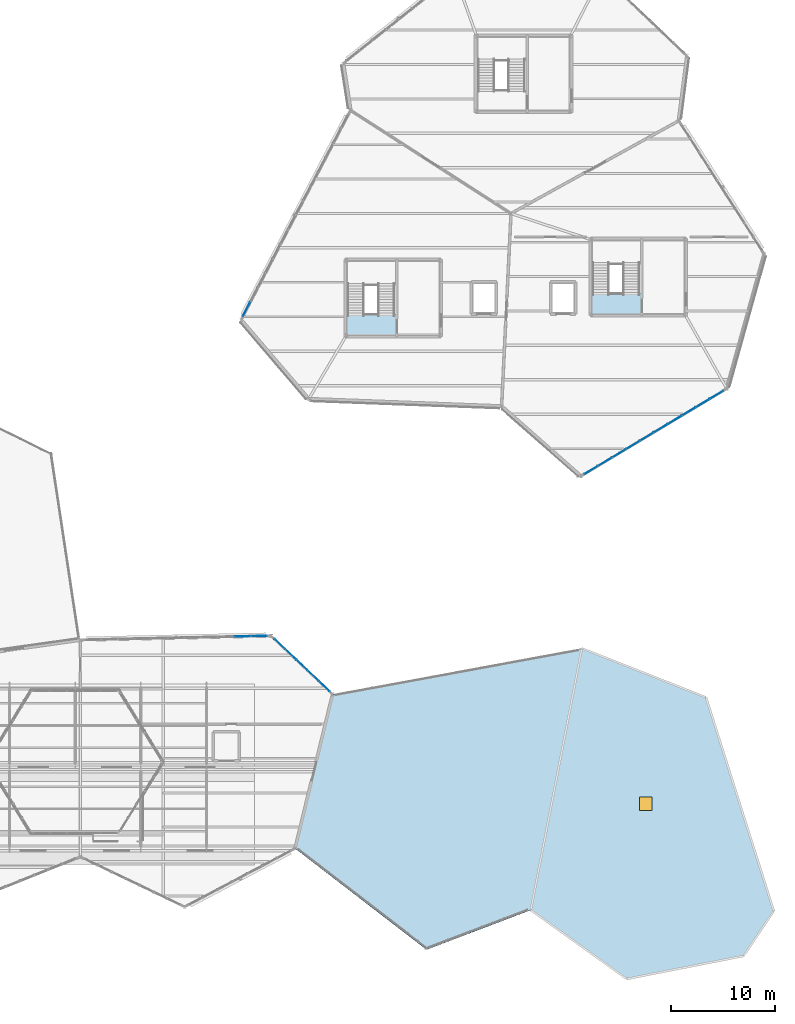
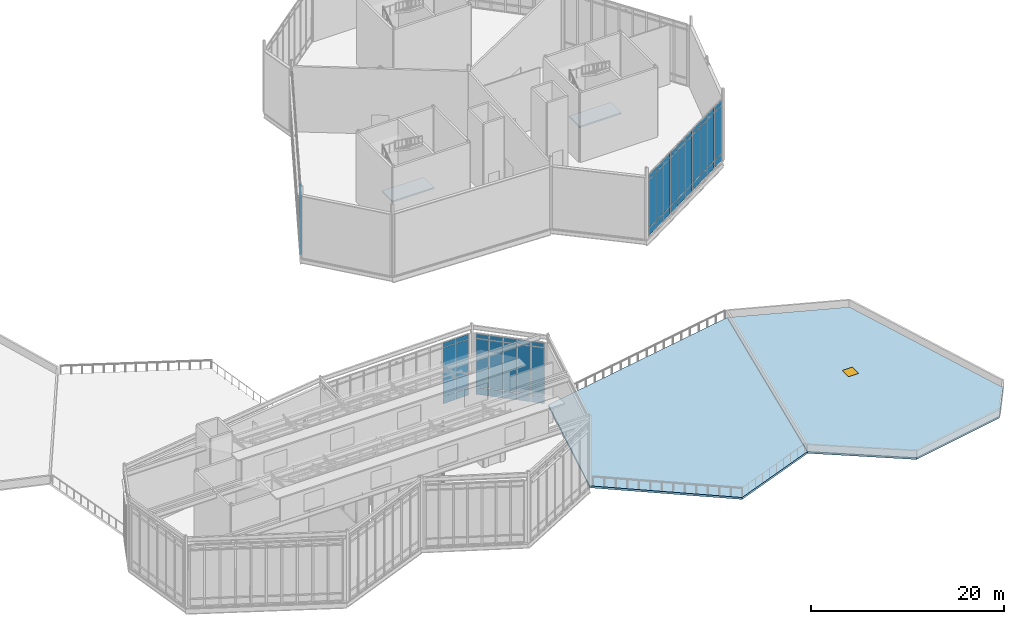
# One storey, part 46 of 66: 54 plates, 4 slabs, 1 door, 1 opening, 6 elements without a shape of their own.
"""IFC4 building model written with IfcOpenShell, lengths in metres."""

import ifcopenshell
import ifcopenshell.guid

model = None  # the IFC model being written
_history = None  # IfcOwnerHistory: only IFC2X3 demands one
_inside = {}  # id of a spatial element -> (the spatial element, [elements in it])
_under = {}  # id of a project, library or spatial element -> (it, [spatial elements below it])
_declared = {}  # id of a project -> (the project, [libraries it declares])
_typed = {}  # id of a type object -> (the type object, [elements of that type])
_made_of = {}  # id of a material, layer set ... -> (it, [elements and type objects made of it])


def new_model(schema):
    """Start an empty IFC model of exactly this schema.

    Asked for "IFC4X3", IfcOpenShell would pick the latest addendum, in which some entities
    have other attributes; the version numbers below select the first issue.
    IFC2X3 requires an IfcOwnerHistory on every rooted entity: one is made here for all.
    """
    global model, _history
    if schema == "IFC4X3":
        model = ifcopenshell.file(schema_version=(4, 3, 0, 0))
    else:
        model = ifcopenshell.file(schema=schema)
    _inside.clear()
    _under.clear()
    _declared.clear()
    _typed.clear()
    _made_of.clear()
    _history = None
    if model.schema == "IFC2X3":
        org = make("IfcOrganization", Name="unknown")
        user = make(
            "IfcPersonAndOrganization",
            ThePerson=make("IfcPerson", FamilyName="unknown"),
            TheOrganization=org,
        )
        app = make(
            "IfcApplication",
            ApplicationDeveloper=org,
            Version="unknown",
            ApplicationFullName="unknown",
            ApplicationIdentifier="unknown",
        )
        _history = make(
            "IfcOwnerHistory",
            OwningUser=user,
            OwningApplication=app,
            ChangeAction="ADDED",
            CreationDate=0,
        )
    return model


def make(cls, **values):
    """One entity of the class cls with the attributes given. An attribute that is None is left unset."""
    return model.create_entity(
        cls, **{name: value for name, value in values.items() if value is not None}
    )


def rooted(cls, **values):
    """An entity with a GlobalId (a new one), such as an element, a storey or a relation."""
    return make(cls, GlobalId=ifcopenshell.guid.new(), OwnerHistory=_history, **values)


def si_unit(unit_type, name, prefix=None):
    """IfcSIUnit, for example si_unit("LENGTHUNIT", "METRE", prefix="MILLI")."""
    return make("IfcSIUnit", UnitType=unit_type, Prefix=prefix, Name=name)


def assignment(units):
    """IfcUnitAssignment: the units of a project."""
    return None if units is None else make("IfcUnitAssignment", Units=units)


def point(xyz):
    """IfcCartesianPoint."""
    return None if xyz is None else make("IfcCartesianPoint", Coordinates=xyz)


def direction(xyz):
    """IfcDirection."""
    return None if xyz is None else make("IfcDirection", DirectionRatios=xyz)


def frame(location, z_axis=None, x_axis=None):
    """IfcAxis2Placement3D, a coordinate frame: its origin and axes. An axis left out is left unset."""
    return make(
        "IfcAxis2Placement3D",
        Location=point(location),
        Axis=direction(z_axis),
        RefDirection=direction(x_axis),
    )


def frame_2d(location, x_axis=None):
    """IfcAxis2Placement2D, a coordinate frame in the plane: its origin and x axis."""
    return make(
        "IfcAxis2Placement2D", Location=point(location), RefDirection=direction(x_axis)
    )


def origin():
    """The frame at (0, 0, 0) with its axes left unset."""
    return frame((0.0, 0.0, 0.0))


def origin_2d():
    """The frame at (0, 0) in the plane with its x axis left unset."""
    return frame_2d((0.0, 0.0))


def place(relative_to, where):
    """IfcLocalPlacement: puts the frame where relative to a parent placement (None: the world)."""
    return make(
        "IfcLocalPlacement", PlacementRelTo=relative_to, RelativePlacement=where
    )


def context(
    kind, dimensions, precision=None, world=None, true_north=None, identifier=None
):
    """IfcGeometricRepresentationContext, for example the 3D "Model" context."""
    return make(
        "IfcGeometricRepresentationContext",
        ContextIdentifier=identifier,
        ContextType=kind,
        CoordinateSpaceDimension=dimensions,
        Precision=precision,
        WorldCoordinateSystem=world,
        TrueNorth=true_north,
    )


def subcontext(parent, identifier, kind, view, scale=None):
    """IfcGeometricRepresentationSubContext, for example "Body" below "Model"."""
    return make(
        "IfcGeometricRepresentationSubContext",
        ContextIdentifier=identifier,
        ContextType=kind,
        ParentContext=parent,
        TargetScale=scale,
        TargetView=view,
    )


def project(units=None, contexts=None):
    """IfcProject with its units and contexts."""
    return rooted(
        "IfcProject",
        Name="project",
        RepresentationContexts=contexts,
        UnitsInContext=assignment(units),
    )


def spatial(cls, under=None, at=None, **own):
    """A site, building, storey or space (cls), placed at a placement, below another one or the project."""
    s = rooted(cls, ObjectPlacement=at, **own)
    if under is not None:
        _under.setdefault(under.id(), (under, []))[1].append(s)
    return s


def polyline(points):
    """IfcPolyline through the points."""
    return make("IfcPolyline", Points=[point(p) for p in points])


def profile(cls, at=None, kind="AREA", **sizes):
    """A parametric profile (cls). Its sizes go by their IFC names, for example OverallWidth=200.0."""
    return make(cls, ProfileType=kind, Position=at, **sizes)


def rectangle(**sizes):
    """IfcRectangleProfileDef."""
    return profile("IfcRectangleProfileDef", **sizes)


def outline(outer, holes=None, kind="AREA"):
    """IfcArbitraryClosedProfileDef: a profile drawn as a closed curve; with holes, ...WithVoids."""
    if holes is None:
        return make("IfcArbitraryClosedProfileDef", ProfileType=kind, OuterCurve=outer)
    return make(
        "IfcArbitraryProfileDefWithVoids",
        ProfileType=kind,
        OuterCurve=outer,
        InnerCurves=holes,
    )


def extrude(swept, where, along, depth):
    """IfcExtrudedAreaSolid: the profile swept, set in the frame where, extruded along a direction by depth."""
    return make(
        "IfcExtrudedAreaSolid",
        SweptArea=swept,
        Position=where,
        ExtrudedDirection=direction(along),
        Depth=depth,
    )


def shape(context_of_items, identifier, shape_type, items):
    """IfcShapeRepresentation: the items that make up one representation, for example the "Body"."""
    return make(
        "IfcShapeRepresentation",
        ContextOfItems=context_of_items,
        RepresentationIdentifier=identifier,
        RepresentationType=shape_type,
        Items=items,
    )


def material(Name=None, Category=None):
    """IfcMaterial."""
    return make("IfcMaterial", Name=Name, Category=Category)


def layer(
    of_material, thickness, ventilated=None, Name=None, Category=None, Priority=None
):
    """IfcMaterialLayer: one layer of a wall or slab, of a material (None: an air gap)."""
    return make(
        "IfcMaterialLayer",
        Material=of_material,
        LayerThickness=thickness,
        IsVentilated=ventilated,
        Name=Name,
        Category=Category,
        Priority=Priority,
    )


def layer_set(layers, Name=None):
    """IfcMaterialLayerSet."""
    return make("IfcMaterialLayerSet", MaterialLayers=layers, LayerSetName=Name)


def made_of(thing, what):
    """Note that an element or type object is made of a material, layer set ...; save() writes the relation."""
    if what is not None:
        _made_of.setdefault(what.id(), (what, []))[1].append(thing)
    return thing


def type_object(cls, material=None, **own):
    """A type object (cls), such as IfcWallType, which elements share."""
    return made_of(rooted(cls, **own), material)


def element(
    cls,
    number,
    at=None,
    inside=None,
    cuts=None,
    type_object=None,
    material=None,
    context=None,
    identifier="Body",
    shape_type=None,
    held_by="IfcProductDefinitionShape",
    body=None,
    shapes=None,
    **own,
):
    """One element of the class cls, such as IfcWall. Its Tag is "e" and its number.

    at: its placement. inside: the storey or other place that contains it. cuts: it is an
    opening in that element (IfcRelVoidsElement). A single representation is given by context,
    identifier, shape_type and body (its items); several are given by shapes. held_by: the class
    of the entity that holds the representations. save() writes the other relations.
    """
    e = rooted(cls, Tag="e%d" % number, ObjectPlacement=at, **own)
    if body is not None:
        shapes = [shape(context, identifier, shape_type, body)]
    if shapes is not None:
        e.Representation = make(held_by, Representations=shapes)
    if inside is not None:
        _inside.setdefault(inside.id(), (inside, []))[1].append(e)
    if cuts is not None:
        rooted(
            "IfcRelVoidsElement", RelatingBuildingElement=cuts, RelatedOpeningElement=e
        )
    if type_object is not None:
        _typed.setdefault(type_object.id(), (type_object, []))[1].append(e)
    return made_of(e, material)


def fill(opening, filler):
    """IfcRelFillsElement: the door or window that sits in an opening."""
    return rooted(
        "IfcRelFillsElement",
        RelatingOpeningElement=opening,
        RelatedBuildingElement=filler,
    )


def aggregate(whole, parts):
    """IfcRelAggregates: a whole, such as a stair, and the parts it consists of."""
    return rooted("IfcRelAggregates", RelatingObject=whole, RelatedObjects=parts)


def save(model, path):
    """Write the relations noted so far, then the file.

    IfcRelAggregates (storeys below a building ...), IfcRelContainedInSpatialStructure (elements
    in a storey), IfcRelDefinesByType, IfcRelAssociatesMaterial and IfcRelDeclares: one each for
    every whole, place, type object, material and project.
    """
    for whole, parts in _under.values():
        aggregate(whole, parts)
    for where, things in _inside.values():
        rooted(
            "IfcRelContainedInSpatialStructure",
            RelatedElements=things,
            RelatingStructure=where,
        )
    for kind, things in _typed.values():
        rooted("IfcRelDefinesByType", RelatedObjects=things, RelatingType=kind)
    for what, things in _made_of.values():
        rooted("IfcRelAssociatesMaterial", RelatedObjects=things, RelatingMaterial=what)
    for by, libraries in _declared.values():
        rooted("IfcRelDeclares", RelatingContext=by, RelatedDefinitions=libraries)
    model.write(path)


model = new_model("IFC4")

# Units and contexts
model_context = context("Model", 3, precision=1e-05, world=origin(), true_north=direction((0.0, 1.0)))
body_context = subcontext(model_context, "Body", "Model", "MODEL_VIEW")
ifc_project = project(units=[si_unit("LENGTHUNIT", "METRE"), si_unit("AREAUNIT", "SQUARE_METRE"), si_unit("VOLUMEUNIT", "CUBIC_METRE"), si_unit("PLANEANGLEUNIT", "RADIAN"), si_unit("MASSUNIT", "GRAM", prefix="KILO")], contexts=[model_context])

# Site, building, storey
site_placement = place(None, origin())
site = spatial("IfcSite", under=ifc_project, at=site_placement, CompositionType="ELEMENT")
building_placement = place(site_placement, origin())
building = spatial("IfcBuilding", under=site, at=building_placement, Name="Tameran Prism Museum", CompositionType="ELEMENT")
storey_placement = place(building_placement, frame((0.0, 0.0, 19.800048828125)))
storey = spatial("IfcBuildingStorey", under=building, at=storey_placement, Name="L04", CompositionType="ELEMENT", Elevation=19.800048828125)

# Curtain wall, plates
ifc_material_1 = material(Name="Anodised Aluminium 6063-T6 and Cyclone Solar Glass", Category="aluminium")
curtain_wall_type_1 = type_object("IfcCurtainWallType", Name="CW-FAC-1563x782", PredefinedType="USERDEFINED", material=ifc_material_1)
curtain_wall_1_placement = place(storey_placement, origin())
curtain_wall_1 = element("IfcCurtainWall", 1, at=curtain_wall_1_placement, inside=storey, type_object=curtain_wall_type_1, Name="Unitised Curtain Wall CW-152", ObjectType="UNITISED CURTAIN WALL", PredefinedType="USERDEFINED")
ifc_material_2 = material(Name="Low-E Laminated Solar Glass", Category="glass")
ifc_layer_1 = layer(ifc_material_2, 0.028076171875)
ifc_layer_set_1 = layer_set([ifc_layer_1])
plate_type_1 = type_object("IfcPlateType", Name="CW-PNL-G28", PredefinedType="CURTAIN_PANEL", material=ifc_layer_set_1)
plate_1_placement = place(storey_placement, frame((138.514892578125, 71.708984375, 0.06982421875), z_axis=(0.0, 0.0, 1.0), x_axis=(-0.857492925713, -0.514495755426, 0.0)))
plate_1 = element("IfcPlate", 2, at=plate_1_placement, type_object=plate_type_1, Name="CW-152 panel 1.1", PredefinedType="CURTAIN_PANEL", context=body_context, shape_type="SweptSolid", body=[
    extrude(rectangle(XDim=1.457763671875, YDim=0.028076171875, at=origin_2d()), origin(), (0.0, 0.0, 1.0), 0.89501953125),
])
plate_2_placement = place(storey_placement, frame((138.514892578125, 71.708984375, 1.03515625), z_axis=(0.0, 0.0, 1.0), x_axis=(-0.857492925713, -0.514495755426, 0.0)))
plate_2 = element("IfcPlate", 3, at=plate_2_placement, type_object=plate_type_1, Name="CW-152 panel 1.2", PredefinedType="CURTAIN_PANEL", context=body_context, shape_type="SweptSolid", body=[
    extrude(rectangle(XDim=1.457763671875, YDim=0.028076171875, at=origin_2d()), origin(), (0.0, 0.0, 1.0), 6.070068359375),
])
plate_3_placement = place(storey_placement, frame((138.514892578125, 71.708984375, 7.1748046875), z_axis=(0.0, 0.0, 1.0), x_axis=(-0.857492925713, -0.514495755426, 0.0)))
plate_3 = element("IfcPlate", 4, at=plate_3_placement, type_object=plate_type_1, Name="CW-152 panel 1.3", PredefinedType="CURTAIN_PANEL", context=body_context, shape_type="SweptSolid", body=[
    extrude(rectangle(XDim=1.457763671875, YDim=0.028076171875, at=origin_2d()), origin(), (0.0, 0.0, 1.0), 0.574951171875),
])
plate_4_placement = place(storey_placement, frame((137.18994140625, 70.9140625, 0.06982421875), z_axis=(0.0, 0.0, 1.0), x_axis=(-0.857492925713, -0.514495755426, 0.0)))
plate_4 = element("IfcPlate", 5, at=plate_4_placement, type_object=plate_type_1, Name="CW-152 panel 2.1", PredefinedType="CURTAIN_PANEL", context=body_context, shape_type="SweptSolid", body=[
    extrude(rectangle(XDim=1.49267578125, YDim=0.028076171875, at=origin_2d()), origin(), (0.0, 0.0, 1.0), 0.89501953125),
])
plate_5_placement = place(storey_placement, frame((137.18994140625, 70.9140625, 1.03515625), z_axis=(0.0, 0.0, 1.0), x_axis=(-0.857492925713, -0.514495755426, 0.0)))
plate_5 = element("IfcPlate", 6, at=plate_5_placement, type_object=plate_type_1, Name="CW-152 panel 2.2", PredefinedType="CURTAIN_PANEL", context=body_context, shape_type="SweptSolid", body=[
    extrude(rectangle(XDim=1.49267578125, YDim=0.028076171875, at=origin_2d()), origin(), (0.0, 0.0, 1.0), 6.070068359375),
])
plate_6_placement = place(storey_placement, frame((137.18994140625, 70.9140625, 7.1748046875), z_axis=(0.0, 0.0, 1.0), x_axis=(-0.857492925713, -0.514495755426, 0.0)))
plate_6 = element("IfcPlate", 7, at=plate_6_placement, type_object=plate_type_1, Name="CW-152 panel 2.3", PredefinedType="CURTAIN_PANEL", context=body_context, shape_type="SweptSolid", body=[
    extrude(rectangle(XDim=1.49267578125, YDim=0.028076171875, at=origin_2d()), origin(), (0.0, 0.0, 1.0), 0.574951171875),
])
plate_7_placement = place(storey_placement, frame((135.85009765625, 70.110107421875, 0.06982421875), z_axis=(0.0, 0.0, 1.0), x_axis=(-0.857492925713, -0.514495755426, 0.0)))
plate_7 = element("IfcPlate", 8, at=plate_7_placement, type_object=plate_type_1, Name="CW-152 panel 3.1", PredefinedType="CURTAIN_PANEL", context=body_context, shape_type="SweptSolid", body=[
    extrude(rectangle(XDim=1.49267578125, YDim=0.028076171875, at=origin_2d()), origin(), (0.0, 0.0, 1.0), 0.89501953125),
])
plate_8_placement = place(storey_placement, frame((135.85009765625, 70.110107421875, 1.03515625), z_axis=(0.0, 0.0, 1.0), x_axis=(-0.857492925713, -0.514495755426, 0.0)))
plate_8 = element("IfcPlate", 9, at=plate_8_placement, type_object=plate_type_1, Name="CW-152 panel 3.2", PredefinedType="CURTAIN_PANEL", context=body_context, shape_type="SweptSolid", body=[
    extrude(rectangle(XDim=1.49267578125, YDim=0.028076171875, at=origin_2d()), origin(), (0.0, 0.0, 1.0), 6.070068359375),
])
plate_9_placement = place(storey_placement, frame((135.85009765625, 70.110107421875, 7.1748046875), z_axis=(0.0, 0.0, 1.0), x_axis=(-0.857492925713, -0.514495755426, 0.0)))
plate_9 = element("IfcPlate", 10, at=plate_9_placement, type_object=plate_type_1, Name="CW-152 panel 3.3", PredefinedType="CURTAIN_PANEL", context=body_context, shape_type="SweptSolid", body=[
    extrude(rectangle(XDim=1.49267578125, YDim=0.028076171875, at=origin_2d()), origin(), (0.0, 0.0, 1.0), 0.574951171875),
])
plate_10_placement = place(storey_placement, frame((134.510009765625, 69.305908203125, 0.06982421875), z_axis=(0.0, 0.0, 1.0), x_axis=(-0.857492925713, -0.514495755426, 0.0)))
plate_10 = element("IfcPlate", 11, at=plate_10_placement, type_object=plate_type_1, Name="CW-152 panel 4.1", PredefinedType="CURTAIN_PANEL", context=body_context, shape_type="SweptSolid", body=[
    extrude(rectangle(XDim=1.49267578125, YDim=0.028076171875, at=origin_2d()), origin(), (0.0, 0.0, 1.0), 0.89501953125),
])
plate_11_placement = place(storey_placement, frame((134.510009765625, 69.305908203125, 1.03515625), z_axis=(0.0, 0.0, 1.0), x_axis=(-0.857492925713, -0.514495755426, 0.0)))
plate_11 = element("IfcPlate", 12, at=plate_11_placement, type_object=plate_type_1, Name="CW-152 panel 4.2", PredefinedType="CURTAIN_PANEL", context=body_context, shape_type="SweptSolid", body=[
    extrude(rectangle(XDim=1.49267578125, YDim=0.028076171875, at=origin_2d()), origin(), (0.0, 0.0, 1.0), 6.070068359375),
])
plate_12_placement = place(storey_placement, frame((134.510009765625, 69.305908203125, 7.1748046875), z_axis=(0.0, 0.0, 1.0), x_axis=(-0.857492925713, -0.514495755426, 0.0)))
plate_12 = element("IfcPlate", 13, at=plate_12_placement, type_object=plate_type_1, Name="CW-152 panel 4.3", PredefinedType="CURTAIN_PANEL", context=body_context, shape_type="SweptSolid", body=[
    extrude(rectangle(XDim=1.49267578125, YDim=0.028076171875, at=origin_2d()), origin(), (0.0, 0.0, 1.0), 0.574951171875),
])
plate_13_placement = place(storey_placement, frame((133.169921875, 68.501953125, 0.06982421875), z_axis=(0.0, 0.0, 1.0), x_axis=(-0.857492925713, -0.514495755426, 0.0)))
plate_13 = element("IfcPlate", 14, at=plate_13_placement, type_object=plate_type_1, Name="CW-152 panel 5.1", PredefinedType="CURTAIN_PANEL", context=body_context, shape_type="SweptSolid", body=[
    extrude(rectangle(XDim=1.49267578125, YDim=0.028076171875, at=origin_2d()), origin(), (0.0, 0.0, 1.0), 0.89501953125),
])
plate_14_placement = place(storey_placement, frame((133.169921875, 68.501953125, 1.03515625), z_axis=(0.0, 0.0, 1.0), x_axis=(-0.857492925713, -0.514495755426, 0.0)))
plate_14 = element("IfcPlate", 15, at=plate_14_placement, type_object=plate_type_1, Name="CW-152 panel 5.2", PredefinedType="CURTAIN_PANEL", context=body_context, shape_type="SweptSolid", body=[
    extrude(rectangle(XDim=1.49267578125, YDim=0.028076171875, at=origin_2d()), origin(), (0.0, 0.0, 1.0), 6.070068359375),
])
plate_15_placement = place(storey_placement, frame((133.169921875, 68.501953125, 7.1748046875), z_axis=(0.0, 0.0, 1.0), x_axis=(-0.857492925713, -0.514495755426, 0.0)))
plate_15 = element("IfcPlate", 16, at=plate_15_placement, type_object=plate_type_1, Name="CW-152 panel 5.3", PredefinedType="CURTAIN_PANEL", context=body_context, shape_type="SweptSolid", body=[
    extrude(rectangle(XDim=1.49267578125, YDim=0.028076171875, at=origin_2d()), origin(), (0.0, 0.0, 1.0), 0.574951171875),
])
plate_16_placement = place(storey_placement, frame((131.830078125, 67.697998046875, 0.06982421875), z_axis=(0.0, 0.0, 1.0), x_axis=(-0.857492925713, -0.514495755426, 0.0)))
plate_16 = element("IfcPlate", 17, at=plate_16_placement, type_object=plate_type_1, Name="CW-152 panel 6.1", PredefinedType="CURTAIN_PANEL", context=body_context, shape_type="SweptSolid", body=[
    extrude(rectangle(XDim=1.49267578125, YDim=0.028076171875, at=origin_2d()), origin(), (0.0, 0.0, 1.0), 0.89501953125),
])
plate_17_placement = place(storey_placement, frame((131.830078125, 67.697998046875, 1.03515625), z_axis=(0.0, 0.0, 1.0), x_axis=(-0.857492925713, -0.514495755426, 0.0)))
plate_17 = element("IfcPlate", 18, at=plate_17_placement, type_object=plate_type_1, Name="CW-152 panel 6.2", PredefinedType="CURTAIN_PANEL", context=body_context, shape_type="SweptSolid", body=[
    extrude(rectangle(XDim=1.49267578125, YDim=0.028076171875, at=origin_2d()), origin(), (0.0, 0.0, 1.0), 6.070068359375),
])
plate_18_placement = place(storey_placement, frame((131.830078125, 67.697998046875, 7.1748046875), z_axis=(0.0, 0.0, 1.0), x_axis=(-0.857492925713, -0.514495755426, 0.0)))
plate_18 = element("IfcPlate", 19, at=plate_18_placement, type_object=plate_type_1, Name="CW-152 panel 6.3", PredefinedType="CURTAIN_PANEL", context=body_context, shape_type="SweptSolid", body=[
    extrude(rectangle(XDim=1.49267578125, YDim=0.028076171875, at=origin_2d()), origin(), (0.0, 0.0, 1.0), 0.574951171875),
])
plate_19_placement = place(storey_placement, frame((130.489990234375, 66.89404296875, 0.06982421875), z_axis=(0.0, 0.0, 1.0), x_axis=(-0.857492925713, -0.514495755426, 0.0)))
plate_19 = element("IfcPlate", 20, at=plate_19_placement, type_object=plate_type_1, Name="CW-152 panel 7.1", PredefinedType="CURTAIN_PANEL", context=body_context, shape_type="SweptSolid", body=[
    extrude(rectangle(XDim=1.49267578125, YDim=0.028076171875, at=origin_2d()), origin(), (0.0, 0.0, 1.0), 0.89501953125),
])
plate_20_placement = place(storey_placement, frame((130.489990234375, 66.89404296875, 1.03515625), z_axis=(0.0, 0.0, 1.0), x_axis=(-0.857492925713, -0.514495755426, 0.0)))
plate_20 = element("IfcPlate", 21, at=plate_20_placement, type_object=plate_type_1, Name="CW-152 panel 7.2", PredefinedType="CURTAIN_PANEL", context=body_context, shape_type="SweptSolid", body=[
    extrude(rectangle(XDim=1.49267578125, YDim=0.028076171875, at=origin_2d()), origin(), (0.0, 0.0, 1.0), 6.070068359375),
])
plate_21_placement = place(storey_placement, frame((130.489990234375, 66.89404296875, 7.1748046875), z_axis=(0.0, 0.0, 1.0), x_axis=(-0.857492925713, -0.514495755426, 0.0)))
plate_21 = element("IfcPlate", 22, at=plate_21_placement, type_object=plate_type_1, Name="CW-152 panel 7.3", PredefinedType="CURTAIN_PANEL", context=body_context, shape_type="SweptSolid", body=[
    extrude(rectangle(XDim=1.49267578125, YDim=0.028076171875, at=origin_2d()), origin(), (0.0, 0.0, 1.0), 0.574951171875),
])
plate_22_placement = place(storey_placement, frame((129.14990234375, 66.090087890625, 0.06982421875), z_axis=(0.0, 0.0, 1.0), x_axis=(-0.857492925713, -0.514495755426, 0.0)))
plate_22 = element("IfcPlate", 23, at=plate_22_placement, type_object=plate_type_1, Name="CW-152 panel 8.1", PredefinedType="CURTAIN_PANEL", context=body_context, shape_type="SweptSolid", body=[
    extrude(rectangle(XDim=1.49267578125, YDim=0.028076171875, at=origin_2d()), origin(), (0.0, 0.0, 1.0), 0.89501953125),
])
plate_23_placement = place(storey_placement, frame((129.14990234375, 66.090087890625, 1.03515625), z_axis=(0.0, 0.0, 1.0), x_axis=(-0.857492925713, -0.514495755426, 0.0)))
plate_23 = element("IfcPlate", 24, at=plate_23_placement, type_object=plate_type_1, Name="CW-152 panel 8.2", PredefinedType="CURTAIN_PANEL", context=body_context, shape_type="SweptSolid", body=[
    extrude(rectangle(XDim=1.49267578125, YDim=0.028076171875, at=origin_2d()), origin(), (0.0, 0.0, 1.0), 6.070068359375),
])
plate_24_placement = place(storey_placement, frame((129.14990234375, 66.090087890625, 7.1748046875), z_axis=(0.0, 0.0, 1.0), x_axis=(-0.857492925713, -0.514495755426, 0.0)))
plate_24 = element("IfcPlate", 25, at=plate_24_placement, type_object=plate_type_1, Name="CW-152 panel 8.3", PredefinedType="CURTAIN_PANEL", context=body_context, shape_type="SweptSolid", body=[
    extrude(rectangle(XDim=1.49267578125, YDim=0.028076171875, at=origin_2d()), origin(), (0.0, 0.0, 1.0), 0.574951171875),
])
plate_25_placement = place(storey_placement, frame((127.81005859375, 65.285888671875, 0.06982421875), z_axis=(0.0, 0.0, 1.0), x_axis=(-0.857492925713, -0.514495755426, 0.0)))
plate_25 = element("IfcPlate", 26, at=plate_25_placement, type_object=plate_type_1, Name="CW-152 panel 9.1", PredefinedType="CURTAIN_PANEL", context=body_context, shape_type="SweptSolid", body=[
    extrude(rectangle(XDim=1.49267578125, YDim=0.028076171875, at=origin_2d()), origin(), (0.0, 0.0, 1.0), 0.89501953125),
])
plate_26_placement = place(storey_placement, frame((127.81005859375, 65.285888671875, 1.03515625), z_axis=(0.0, 0.0, 1.0), x_axis=(-0.857492925713, -0.514495755426, 0.0)))
plate_26 = element("IfcPlate", 27, at=plate_26_placement, type_object=plate_type_1, Name="CW-152 panel 9.2", PredefinedType="CURTAIN_PANEL", context=body_context, shape_type="SweptSolid", body=[
    extrude(rectangle(XDim=1.49267578125, YDim=0.028076171875, at=origin_2d()), origin(), (0.0, 0.0, 1.0), 6.070068359375),
])
plate_27_placement = place(storey_placement, frame((127.81005859375, 65.285888671875, 7.1748046875), z_axis=(0.0, 0.0, 1.0), x_axis=(-0.857492925713, -0.514495755426, 0.0)))
plate_27 = element("IfcPlate", 28, at=plate_27_placement, type_object=plate_type_1, Name="CW-152 panel 9.3", PredefinedType="CURTAIN_PANEL", context=body_context, shape_type="SweptSolid", body=[
    extrude(rectangle(XDim=1.49267578125, YDim=0.028076171875, at=origin_2d()), origin(), (0.0, 0.0, 1.0), 0.574951171875),
])
plate_28_placement = place(storey_placement, frame((126.485107421875, 64.490966796875, 0.06982421875), z_axis=(0.0, 0.0, 1.0), x_axis=(-0.857492925713, -0.514495755426, 0.0)))
plate_28 = element("IfcPlate", 29, at=plate_28_placement, type_object=plate_type_1, Name="CW-152 panel 10.1", PredefinedType="CURTAIN_PANEL", context=body_context, shape_type="SweptSolid", body=[
    extrude(rectangle(XDim=1.457763671875, YDim=0.028076171875, at=origin_2d()), origin(), (0.0, 0.0, 1.0), 0.89501953125),
])
plate_29_placement = place(storey_placement, frame((126.485107421875, 64.490966796875, 1.03515625), z_axis=(0.0, 0.0, 1.0), x_axis=(-0.857492925713, -0.514495755426, 0.0)))
plate_29 = element("IfcPlate", 30, at=plate_29_placement, type_object=plate_type_1, Name="CW-152 panel 10.2", PredefinedType="CURTAIN_PANEL", context=body_context, shape_type="SweptSolid", body=[
    extrude(rectangle(XDim=1.457763671875, YDim=0.028076171875, at=origin_2d()), origin(), (0.0, 0.0, 1.0), 6.070068359375),
])
plate_30_placement = place(storey_placement, frame((126.485107421875, 64.490966796875, 7.1748046875), z_axis=(0.0, 0.0, 1.0), x_axis=(-0.857492925713, -0.514495755426, 0.0)))
plate_30 = element("IfcPlate", 31, at=plate_30_placement, type_object=plate_type_1, Name="CW-152 panel 10.3", PredefinedType="CURTAIN_PANEL", context=body_context, shape_type="SweptSolid", body=[
    extrude(rectangle(XDim=1.457763671875, YDim=0.028076171875, at=origin_2d()), origin(), (0.0, 0.0, 1.0), 0.574951171875),
])
aggregate(curtain_wall_1, [plate_1, plate_2, plate_3, plate_4, plate_5, plate_6, plate_7, plate_8, plate_9, plate_10, plate_11, plate_12, plate_13, plate_14, plate_15, plate_16, plate_17, plate_18, plate_19, plate_20, plate_21, plate_22, plate_23, plate_24, plate_25, plate_26, plate_27, plate_28, plate_29, plate_30])

ifc_material_3 = material(Name="Anodised Aluminium 6063-T6 and Cyclone Solar Glass", Category="aluminium")
curtain_wall_type_2 = type_object("IfcCurtainWallType", Name="CW-FAC-2192x782", PredefinedType="USERDEFINED", material=ifc_material_3)
curtain_wall_2_placement = place(storey_placement, origin())
curtain_wall_2 = element("IfcCurtainWall", 32, at=curtain_wall_2_placement, inside=storey, type_object=curtain_wall_type_2, Name="Unitised Curtain Wall CW-151", ObjectType="UNITISED CURTAIN WALL", PredefinedType="USERDEFINED")
ifc_material_4 = material(Name="Cyclone Laminated Solar Glass", Category="glass")
ifc_layer_2 = layer(ifc_material_4, 0.031982421875)
ifc_layer_set_2 = layer_set([ifc_layer_2])
plate_type_2 = type_object("IfcPlateType", Name="CW-PNL-G32", PredefinedType="CURTAIN_PANEL", material=ifc_layer_set_2)
plate_31_placement = place(storey_placement, frame((93.431884765625, 79.918212890625, 0.06494140625), z_axis=(0.0, 0.0, 1.0), x_axis=(0.463002540551, 0.886356952612, 0.0)))
plate_31 = element("IfcPlate", 33, at=plate_31_placement, type_object=plate_type_2, Name="CW-151 panel 1.1", PredefinedType="CURTAIN_PANEL", context=body_context, shape_type="SweptSolid", body=[
    extrude(rectangle(XDim=1.468017578125, YDim=0.031982421875, at=origin_2d()), origin(), (0.0, 0.0, 1.0), 0.902587890625),
])
plate_32_placement = place(storey_placement, frame((93.431884765625, 79.918212890625, 1.03271484375), z_axis=(0.0, 0.0, 1.0), x_axis=(0.463002540551, 0.886356952612, 0.0)))
plate_32 = element("IfcPlate", 34, at=plate_32_placement, type_object=plate_type_2, Name="CW-151 panel 1.2", PredefinedType="CURTAIN_PANEL", context=body_context, shape_type="SweptSolid", body=[
    extrude(rectangle(XDim=1.468017578125, YDim=0.031982421875, at=origin_2d()), origin(), (0.0, 0.0, 1.0), 6.074951171875),
])
plate_33_placement = place(storey_placement, frame((93.431884765625, 79.918212890625, 7.17236328125), z_axis=(0.0, 0.0, 1.0), x_axis=(0.463002540551, 0.886356952612, 0.0)))
plate_33 = element("IfcPlate", 35, at=plate_33_placement, type_object=plate_type_2, Name="CW-151 panel 1.3", PredefinedType="CURTAIN_PANEL", context=body_context, shape_type="SweptSolid", body=[
    extrude(rectangle(XDim=1.468017578125, YDim=0.031982421875, at=origin_2d()), origin(), (0.0, 0.0, 1.0), 0.58251953125),
])
aggregate(curtain_wall_2, [plate_31, plate_32, plate_33])

ifc_material_5 = material(Name="Anodised Aluminium 6063-T6 and Cyclone Solar Glass", Category="aluminium")
curtain_wall_type_3 = type_object("IfcCurtainWallType", Name="CW-FAC-743x782", PredefinedType="USERDEFINED", material=ifc_material_5)
curtain_wall_3_placement = place(storey_placement, origin())
curtain_wall_3 = element("IfcCurtainWall", 36, at=curtain_wall_3_placement, inside=storey, type_object=curtain_wall_type_3, Name="Unitised Curtain Wall CW-162", ObjectType="UNITISED CURTAIN WALL", PredefinedType="USERDEFINED")
plate_34_placement = place(storey_placement, frame((96.607666015625, 47.83349609375, 0.080078125), z_axis=(0.0, 0.0, 1.0), x_axis=(0.72529490691, -0.688438303707, 0.0)))
plate_34 = element("IfcPlate", 37, at=plate_34_placement, type_object=plate_type_2, Name="CW-162 panel 1.1", PredefinedType="CURTAIN_PANEL", context=body_context, shape_type="SweptSolid", body=[
    extrude(rectangle(XDim=1.366943359375, YDim=0.031982421875, at=origin_2d()), origin(), (0.0, 0.0, 1.0), 0.8798828125),
])
plate_35_placement = place(storey_placement, frame((96.607666015625, 47.83349609375, 1.0400390625), z_axis=(0.0, 0.0, 1.0), x_axis=(0.72529490691, -0.688438303707, 0.0)))
plate_35 = element("IfcPlate", 38, at=plate_35_placement, type_object=plate_type_2, Name="CW-162 panel 1.2", PredefinedType="CURTAIN_PANEL", context=body_context, shape_type="SweptSolid", body=[
    extrude(rectangle(XDim=1.366943359375, YDim=0.031982421875, at=origin_2d()), origin(), (0.0, 0.0, 1.0), 6.06005859375),
])
plate_36_placement = place(storey_placement, frame((96.607666015625, 47.83349609375, 7.179931640625), z_axis=(0.0, 0.0, 1.0), x_axis=(0.72529490691, -0.688438303707, 0.0)))
plate_36 = element("IfcPlate", 39, at=plate_36_placement, type_object=plate_type_2, Name="CW-162 panel 1.3", PredefinedType="CURTAIN_PANEL", context=body_context, shape_type="SweptSolid", body=[
    extrude(rectangle(XDim=1.366943359375, YDim=0.031982421875, at=origin_2d()), origin(), (0.0, 0.0, 1.0), 0.56005859375),
])
plate_37_placement = place(storey_placement, frame((97.671630859375, 46.823486328125, 0.080078125), z_axis=(0.0, 0.0, 1.0), x_axis=(0.72529490691, -0.688438303707, 0.0)))
plate_37 = element("IfcPlate", 40, at=plate_37_placement, type_object=plate_type_2, Name="CW-162 panel 2.1", PredefinedType="CURTAIN_PANEL", context=body_context, shape_type="SweptSolid", body=[
    extrude(rectangle(XDim=1.40673828125, YDim=0.031982421875, at=origin_2d()), origin(), (0.0, 0.0, 1.0), 0.8798828125),
])
plate_38_placement = place(storey_placement, frame((97.671630859375, 46.823486328125, 1.0400390625), z_axis=(0.0, 0.0, 1.0), x_axis=(0.72529490691, -0.688438303707, 0.0)))
plate_38 = element("IfcPlate", 41, at=plate_38_placement, type_object=plate_type_2, Name="CW-162 panel 2.2", PredefinedType="CURTAIN_PANEL", context=body_context, shape_type="SweptSolid", body=[
    extrude(rectangle(XDim=1.40673828125, YDim=0.031982421875, at=origin_2d()), origin(), (0.0, 0.0, 1.0), 6.06005859375),
])
plate_39_placement = place(storey_placement, frame((97.671630859375, 46.823486328125, 7.179931640625), z_axis=(0.0, 0.0, 1.0), x_axis=(0.72529490691, -0.688438303707, 0.0)))
plate_39 = element("IfcPlate", 42, at=plate_39_placement, type_object=plate_type_2, Name="CW-162 panel 2.3", PredefinedType="CURTAIN_PANEL", context=body_context, shape_type="SweptSolid", body=[
    extrude(rectangle(XDim=1.40673828125, YDim=0.031982421875, at=origin_2d()), origin(), (0.0, 0.0, 1.0), 0.56005859375),
])
plate_40_placement = place(storey_placement, frame((98.75, 45.800048828125, 0.080078125), z_axis=(0.0, 0.0, 1.0), x_axis=(0.72529490691, -0.688438303707, 0.0)))
plate_40 = element("IfcPlate", 43, at=plate_40_placement, type_object=plate_type_2, Name="CW-162 panel 3.1", PredefinedType="CURTAIN_PANEL", context=body_context, shape_type="SweptSolid", body=[
    extrude(rectangle(XDim=1.40673828125, YDim=0.031982421875, at=origin_2d()), origin(), (0.0, 0.0, 1.0), 0.8798828125),
])
plate_41_placement = place(storey_placement, frame((98.75, 45.800048828125, 1.0400390625), z_axis=(0.0, 0.0, 1.0), x_axis=(0.72529490691, -0.688438303707, 0.0)))
plate_41 = element("IfcPlate", 44, at=plate_41_placement, type_object=plate_type_2, Name="CW-162 panel 3.2", PredefinedType="CURTAIN_PANEL", context=body_context, shape_type="SweptSolid", body=[
    extrude(rectangle(XDim=1.40673828125, YDim=0.031982421875, at=origin_2d()), origin(), (0.0, 0.0, 1.0), 6.06005859375),
])
plate_42_placement = place(storey_placement, frame((98.75, 45.800048828125, 7.179931640625), z_axis=(0.0, 0.0, 1.0), x_axis=(0.72529490691, -0.688438303707, 0.0)))
plate_42 = element("IfcPlate", 45, at=plate_42_placement, type_object=plate_type_2, Name="CW-162 panel 3.3", PredefinedType="CURTAIN_PANEL", context=body_context, shape_type="SweptSolid", body=[
    extrude(rectangle(XDim=1.40673828125, YDim=0.031982421875, at=origin_2d()), origin(), (0.0, 0.0, 1.0), 0.56005859375),
])
plate_43_placement = place(storey_placement, frame((99.828369140625, 44.7763671875, 0.080078125), z_axis=(0.0, 0.0, 1.0), x_axis=(0.72529490691, -0.688438303707, 0.0)))
plate_43 = element("IfcPlate", 46, at=plate_43_placement, type_object=plate_type_2, Name="CW-162 panel 4.1", PredefinedType="CURTAIN_PANEL", context=body_context, shape_type="SweptSolid", body=[
    extrude(rectangle(XDim=1.40673828125, YDim=0.031982421875, at=origin_2d()), origin(), (0.0, 0.0, 1.0), 0.8798828125),
])
plate_44_placement = place(storey_placement, frame((99.828369140625, 44.7763671875, 1.0400390625), z_axis=(0.0, 0.0, 1.0), x_axis=(0.72529490691, -0.688438303707, 0.0)))
plate_44 = element("IfcPlate", 47, at=plate_44_placement, type_object=plate_type_2, Name="CW-162 panel 4.2", PredefinedType="CURTAIN_PANEL", context=body_context, shape_type="SweptSolid", body=[
    extrude(rectangle(XDim=1.40673828125, YDim=0.031982421875, at=origin_2d()), origin(), (0.0, 0.0, 1.0), 6.06005859375),
])
plate_45_placement = place(storey_placement, frame((99.828369140625, 44.7763671875, 7.179931640625), z_axis=(0.0, 0.0, 1.0), x_axis=(0.72529490691, -0.688438303707, 0.0)))
plate_45 = element("IfcPlate", 48, at=plate_45_placement, type_object=plate_type_2, Name="CW-162 panel 4.3", PredefinedType="CURTAIN_PANEL", context=body_context, shape_type="SweptSolid", body=[
    extrude(rectangle(XDim=1.40673828125, YDim=0.031982421875, at=origin_2d()), origin(), (0.0, 0.0, 1.0), 0.56005859375),
])
plate_46_placement = place(storey_placement, frame((100.892333984375, 43.7666015625, 0.080078125), z_axis=(0.0, 0.0, 1.0), x_axis=(0.72529490691, -0.688438303707, 0.0)))
plate_46 = element("IfcPlate", 49, at=plate_46_placement, type_object=plate_type_2, Name="CW-162 panel 5.1", PredefinedType="CURTAIN_PANEL", context=body_context, shape_type="SweptSolid", body=[
    extrude(rectangle(XDim=1.366943359375, YDim=0.031982421875, at=origin_2d()), origin(), (0.0, 0.0, 1.0), 0.8798828125),
])
plate_47_placement = place(storey_placement, frame((100.892333984375, 43.7666015625, 1.0400390625), z_axis=(0.0, 0.0, 1.0), x_axis=(0.72529490691, -0.688438303707, 0.0)))
plate_47 = element("IfcPlate", 50, at=plate_47_placement, type_object=plate_type_2, Name="CW-162 panel 5.2", PredefinedType="CURTAIN_PANEL", context=body_context, shape_type="SweptSolid", body=[
    extrude(rectangle(XDim=1.366943359375, YDim=0.031982421875, at=origin_2d()), origin(), (0.0, 0.0, 1.0), 6.06005859375),
])
plate_48_placement = place(storey_placement, frame((100.892333984375, 43.7666015625, 7.179931640625), z_axis=(0.0, 0.0, 1.0), x_axis=(0.72529490691, -0.688438303707, 0.0)))
plate_48 = element("IfcPlate", 51, at=plate_48_placement, type_object=plate_type_2, Name="CW-162 panel 5.3", PredefinedType="CURTAIN_PANEL", context=body_context, shape_type="SweptSolid", body=[
    extrude(rectangle(XDim=1.366943359375, YDim=0.031982421875, at=origin_2d()), origin(), (0.0, 0.0, 1.0), 0.56005859375),
])
aggregate(curtain_wall_3, [plate_34, plate_35, plate_36, plate_37, plate_38, plate_39, plate_40, plate_41, plate_42, plate_43, plate_44, plate_45, plate_46, plate_47, plate_48])

ifc_material_6 = material(Name="Anodised Aluminium 6063-T6 and Cyclone Solar Glass", Category="aluminium")
curtain_wall_type_4 = type_object("IfcCurtainWallType", Name="CW-FAC-1754x782", PredefinedType="USERDEFINED", material=ifc_material_6)
curtain_wall_4_placement = place(storey_placement, origin())
curtain_wall_4 = element("IfcCurtainWall", 52, at=curtain_wall_4_placement, inside=storey, type_object=curtain_wall_type_4, Name="Unitised Curtain Wall CW-163", ObjectType="UNITISED CURTAIN WALL", PredefinedType="USERDEFINED")
plate_49_placement = place(storey_placement, frame((93.05810546875, 48.539794921875, 0.06494140625), z_axis=(0.0, 0.0, 1.0), x_axis=(0.999761684053, 0.021830600058, 0.0)))
plate_49 = element("IfcPlate", 53, at=plate_49_placement, type_object=plate_type_2, Name="CW-163 panel 10.1", PredefinedType="CURTAIN_PANEL", context=body_context, shape_type="SweptSolid", body=[
    extrude(rectangle(XDim=1.530029296875, YDim=0.031982421875, at=origin_2d()), origin(), (0.0, 0.0, 1.0), 0.902587890625),
])
plate_50_placement = place(storey_placement, frame((93.05810546875, 48.539794921875, 1.03271484375), z_axis=(0.0, 0.0, 1.0), x_axis=(0.999761684053, 0.021830600058, 0.0)))
plate_50 = element("IfcPlate", 54, at=plate_50_placement, type_object=plate_type_2, Name="CW-163 panel 10.2", PredefinedType="CURTAIN_PANEL", context=body_context, shape_type="SweptSolid", body=[
    extrude(rectangle(XDim=1.530029296875, YDim=0.031982421875, at=origin_2d()), origin(), (0.0, 0.0, 1.0), 6.074951171875),
])
plate_51_placement = place(storey_placement, frame((93.05810546875, 48.539794921875, 7.17236328125), z_axis=(0.0, 0.0, 1.0), x_axis=(0.999761684053, 0.021830600058, 0.0)))
plate_51 = element("IfcPlate", 55, at=plate_51_placement, type_object=plate_type_2, Name="CW-163 panel 10.3", PredefinedType="CURTAIN_PANEL", context=body_context, shape_type="SweptSolid", body=[
    extrude(rectangle(XDim=1.530029296875, YDim=0.031982421875, at=origin_2d()), origin(), (0.0, 0.0, 1.0), 0.58251953125),
])
plate_52_placement = place(storey_placement, frame((94.636474609375, 48.57421875, 0.06494140625), z_axis=(0.0, 0.0, 1.0), x_axis=(0.999761684053, 0.021830600058, 0.0)))
plate_52 = element("IfcPlate", 56, at=plate_52_placement, type_object=plate_type_2, Name="CW-163 panel 11.1", PredefinedType="CURTAIN_PANEL", context=body_context, shape_type="SweptSolid", body=[
    extrude(rectangle(XDim=1.497314453125, YDim=0.031982421875, at=origin_2d()), origin(), (0.0, 0.0, 1.0), 0.902587890625),
])
plate_53_placement = place(storey_placement, frame((94.636474609375, 48.57421875, 1.03271484375), z_axis=(0.0, 0.0, 1.0), x_axis=(0.999761684053, 0.021830600058, 0.0)))
plate_53 = element("IfcPlate", 57, at=plate_53_placement, type_object=plate_type_2, Name="CW-163 panel 11.2", PredefinedType="CURTAIN_PANEL", context=body_context, shape_type="SweptSolid", body=[
    extrude(rectangle(XDim=1.497314453125, YDim=0.031982421875, at=origin_2d()), origin(), (0.0, 0.0, 1.0), 6.074951171875),
])
plate_54_placement = place(storey_placement, frame((94.636474609375, 48.57421875, 7.17236328125), z_axis=(0.0, 0.0, 1.0), x_axis=(0.999761684053, 0.021830600058, 0.0)))
plate_54 = element("IfcPlate", 58, at=plate_54_placement, type_object=plate_type_2, Name="CW-163 panel 11.3", PredefinedType="CURTAIN_PANEL", context=body_context, shape_type="SweptSolid", body=[
    extrude(rectangle(XDim=1.497314453125, YDim=0.031982421875, at=origin_2d()), origin(), (0.0, 0.0, 1.0), 0.58251953125),
])
aggregate(curtain_wall_4, [plate_49, plate_50, plate_51, plate_52, plate_53, plate_54])

# Stair, slab
ifc_material_7 = material(Name="Concrete N40 (40 MPa)", Category="concrete")
stair_type = type_object("IfcStairType", Name="ST-CORE-90", PredefinedType="HALF_TURN_STAIR", material=ifc_material_7)
stair_1_placement = place(storey_placement, origin())
stair_1 = element("IfcStair", 59, at=stair_1_placement, inside=storey, type_object=stair_type, Name="Fire-Isolated Stair ST-01-L04", PredefinedType="HALF_TURN_STAIR")
ifc_material_8 = material(Name="Concrete N40 (40 MPa)", Category="concrete")
ifc_layer_3 = layer(ifc_material_8, 0.18505859375)
ifc_layer_set_3 = layer_set([ifc_layer_3])
slab_type_1 = type_object("IfcSlabType", Name="SL-LND-185", PredefinedType="LANDING", material=ifc_layer_set_3)
slab_1_placement = place(storey_placement, frame((0.0, 0.0, 4.31494140625)))
slab_1 = element("IfcSlab", 60, at=slab_1_placement, type_object=slab_type_1, Name="ST-01-L04 landing 2", PredefinedType="LANDING", context=body_context, shape_type="SweptSolid", body=[
    extrude(outline(polyline([(102.8798828125, 77.280029296875), (107.8701171875, 77.280029296875), (107.8701171875, 79.4599609375), (102.8798828125, 79.4599609375), (102.8798828125, 77.280029296875)])), origin(), (0.0, 0.0, 1.0), 0.18505859375),
])
aggregate(stair_1, [slab_1])

stair_2_placement = place(storey_placement, origin())
stair_2 = element("IfcStair", 61, at=stair_2_placement, inside=storey, type_object=stair_type, Name="Fire-Isolated Stair ST-02-L04", PredefinedType="HALF_TURN_STAIR")
slab_2_placement = place(storey_placement, frame((0.0, 0.0, 4.31494140625)))
slab_2 = element("IfcSlab", 62, at=slab_2_placement, type_object=slab_type_1, Name="ST-02-L04 landing 2", PredefinedType="LANDING", context=body_context, shape_type="SweptSolid", body=[
    extrude(outline(polyline([(126.3798828125, 79.280029296875), (131.3701171875, 79.280029296875), (131.3701171875, 81.4599609375), (126.3798828125, 81.4599609375), (126.3798828125, 79.280029296875)])), origin(), (0.0, 0.0, 1.0), 0.18505859375),
])
aggregate(stair_2, [slab_2])

# Slab, opening, door
ifc_material_9 = material(Name="Concrete N40 (40 MPa)", Category="concrete")
ifc_layer_4 = layer(ifc_material_9, 0.22998046875)
ifc_layer_set_4 = layer_set([ifc_layer_4])
slab_type_2 = type_object("IfcSlabType", Name="SL-ROOF-230", PredefinedType="ROOF", material=ifc_layer_set_4)
slab_3_placement = place(storey_placement, frame((0.0, 0.0, -0.22998046875)))
slab_3 = element("IfcSlab", 63, at=slab_3_placement, inside=storey, type_object=slab_type_2, Name="Sedum Cool Roof P09 L04", PredefinedType="ROOF", context=body_context, shape_type="SweptSolid", body=[
    extrude(outline(polyline([(137.5, 42.699951171875), (125.60009765625, 47.39990234375), (120.699951171875, 22.300048828125), (129.89990234375, 15.699951171875), (141.10009765625, 17.89990234375), (144.0, 22.199951171875), (137.5, 42.699951171875)])), origin(), (0.0, 0.0, 1.0), 0.22998046875),
])
opening_placement = place(slab_3_placement, frame((131.712890625, 32.5, 0.0)))
opening = element("IfcOpeningElement", 64, at=opening_placement, cuts=slab_3, Name="Opening RH-04", PredefinedType="OPENING", context=body_context, shape_type="SweptSolid", body=[
    extrude(rectangle(XDim=1.199951171875, YDim=1.300048828125, at=origin_2d()), frame((0.0, 0.0, -0.010009765625)), (0.0, 0.0, 1.0), 0.25),
])
ifc_material_10 = material(Name="Cyclone-Rated Anodised Aluminium 6063-T6 and Laminated Glass", Category="aluminium")
door_type = type_object("IfcDoorType", Name="DR-HAT-ROOF2", OperationType="SINGLE_SWING_RIGHT", PredefinedType="TRAPDOOR", material=ifc_material_10)
door_placement = place(opening_placement, frame((0.0, 0.0, 0.179931640625)))
door = element("IfcDoor", 65, at=door_placement, inside=storey, type_object=door_type, Name="Roof Maintenance Hatch RH-04", OperationType="SINGLE_SWING_LEFT", OverallHeight=1.300048828125, OverallWidth=1.199951171875, PredefinedType="TRAPDOOR", context=body_context, shape_type="SweptSolid", body=[
    extrude(rectangle(XDim=1.199951171875, YDim=1.300048828125, at=origin_2d()), origin(), (0.0, 0.0, 1.0), 0.050048828125),
])
fill(opening, door)

# Slab
ifc_material_11 = material(Name="Concrete N40 (40 MPa)", Category="concrete")
ifc_layer_5 = layer(ifc_material_11, 0.25)
ifc_layer_set_5 = layer_set([ifc_layer_5])
slab_type_3 = type_object("IfcSlabType", Name="SL-TER-250", PredefinedType="USERDEFINED", material=ifc_layer_set_5)
slab_4_placement = place(storey_placement, frame((0.0, 0.0, -0.25)))
element("IfcSlab", 66, at=slab_4_placement, inside=storey, type_object=slab_type_3, Name="Planted Roof Terrace TR-P08-L04", ObjectType="TERRACE", PredefinedType="USERDEFINED", context=body_context, shape_type="SweptSolid", body=[
    extrude(outline(polyline([(98.10009765625, 28.199951171875), (110.699951171875, 18.5), (120.699951171875, 22.300048828125), (125.60009765625, 47.39990234375), (101.699951171875, 43.0), (98.10009765625, 28.199951171875)])), origin(), (0.0, 0.0, 1.0), 0.25),
])

save(model, "model.ifc")
